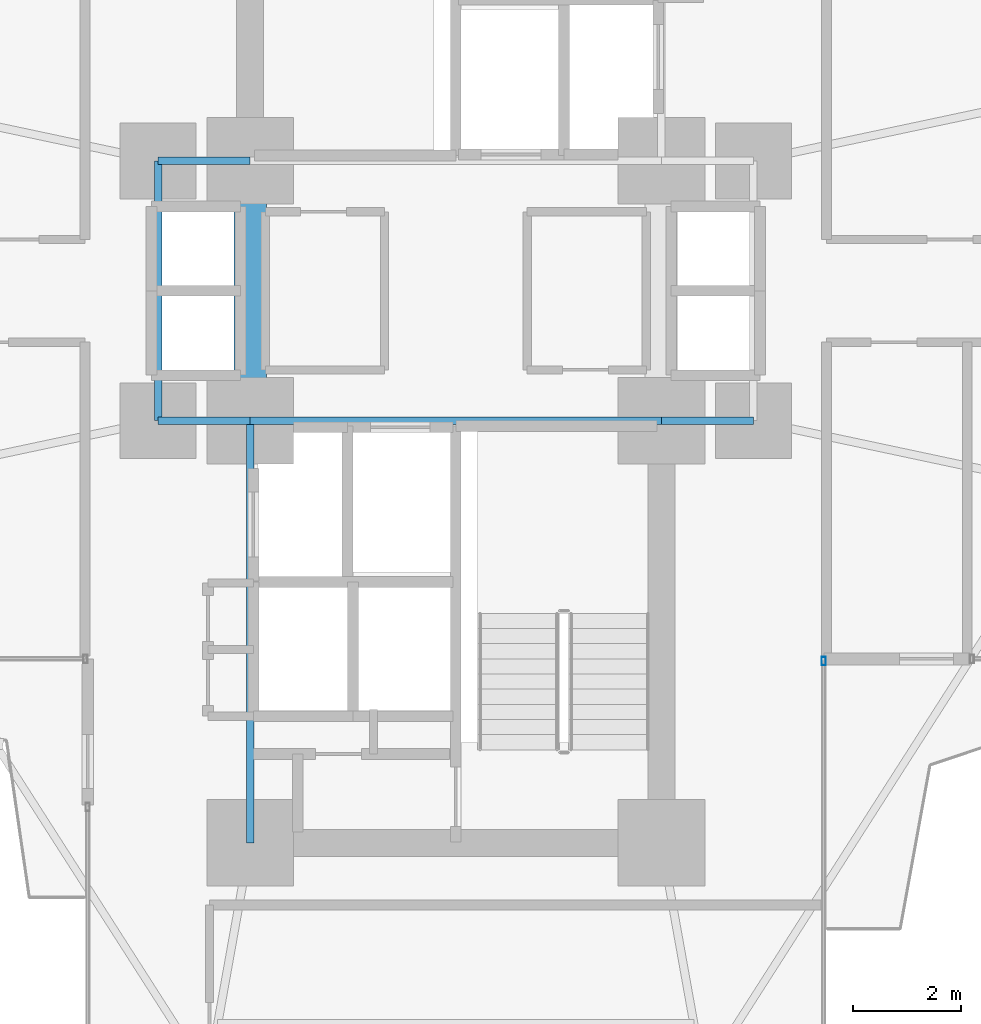
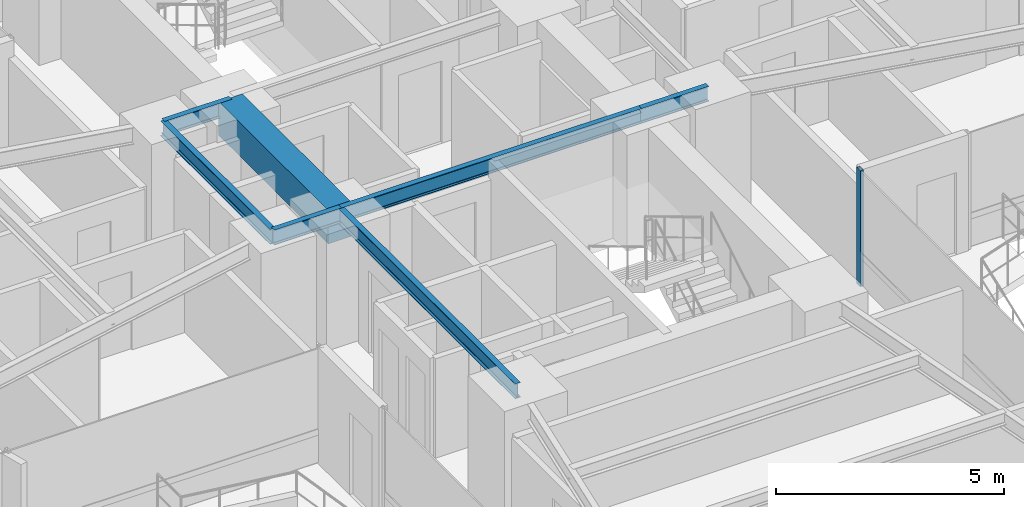
# One storey, part 11 of 25: 7 beams, 1 member, 1 element without a shape of its own.
"""IFC4 building model written with IfcOpenShell, lengths in metres."""

from ifc_helpers import new_model, si_unit, direction, frame, origin, origin_2d, place, context, subcontext, project, spatial, rectangle, hollow_rectangle, i_section, extrude, source, transform, mapped, material, material_profile, profile_set, type_object, element, aggregate, save


model = new_model("IFC4")

# Units and contexts
model_context = context("Model", 3, precision=1e-05, world=origin(), true_north=direction((0.0, 1.0)))
body_context = subcontext(model_context, "Body", "Model", "MODEL_VIEW")
ifc_project = project(units=[si_unit("LENGTHUNIT", "METRE"), si_unit("AREAUNIT", "SQUARE_METRE"), si_unit("VOLUMEUNIT", "CUBIC_METRE"), si_unit("PLANEANGLEUNIT", "RADIAN"), si_unit("MASSUNIT", "GRAM", prefix="KILO")], contexts=[model_context])

# Site, building, storey
site_placement = place(None, origin())
site = spatial("IfcSite", under=ifc_project, at=site_placement, CompositionType="ELEMENT")
building_placement = place(site_placement, origin())
building = spatial("IfcBuilding", under=site, at=building_placement, Name="Sahyath Konkavel Grand Hotel", CompositionType="ELEMENT")
storey_placement = place(building_placement, frame((0.0, 0.0, 57.75)))
storey = spatial("IfcBuildingStorey", under=building, at=storey_placement, Name="L15", CompositionType="ELEMENT", Elevation=57.75)

# Beams
ifc_material_1 = material(Name="Concrete C70/85", Category="concrete")
ifc_material_profile_1 = material_profile(ifc_material_1, rectangle(XDim=0.60009765625, YDim=0.89990234375, at=origin_2d()), Name="RC 600x900")
ifc_profile_set_1 = profile_set([ifc_material_profile_1], Name="Concrete C70/85")
beam_type_1 = type_object("IfcBeamType", Name="BM-CB600x900", PredefinedType="LINTEL", material=ifc_profile_set_1)
shared_shape_1 = source(origin(), body_context, "Body", "SweptSolid", [
    extrude(rectangle(XDim=0.60009765625, YDim=0.89990234375, at=origin_2d()), origin(), (0.0, 0.0, 1.0), 4.7998046875),
])
beam_1_placement = place(storey_placement, frame((-3.800048828125, -2.39990234375, 2.659912109375), z_axis=(0.0, 1.0, 0.0), x_axis=(-1.0, 0.0, 0.0)))
element("IfcBeam", 1, at=beam_1_placement, inside=storey, type_object=beam_type_1, Name="L15 Split-Core Coupling Beam West", PredefinedType="LINTEL", context=body_context, shape_type="MappedRepresentation", body=[
    mapped(shared_shape_1, transform((0.0, 0.0, 0.0), scale=1.0)),
])
ifc_material_2 = material(Name="Steel E350", Category="steel")
ifc_material_profile_2 = material_profile(ifc_material_2, i_section(OverallWidth=0.139892578125, OverallDepth=0.39990234375, WebThickness=0.0087890625, FlangeThickness=0.01611328125, FilletRadius=0.013916015625, at=origin_2d()), Name="ISMB 400")
ifc_profile_set_2 = profile_set([ifc_material_profile_2], Name="Steel E350")
beam_type_2 = type_object("IfcBeamType", Name="BM-ISMB400", PredefinedType="BEAM", material=ifc_profile_set_2)
shared_shape_2 = source(origin(), body_context, "Body", "SweptSolid", [
    extrude(i_section(OverallWidth=0.139892578125, OverallDepth=0.39990234375, WebThickness=0.0087890625, FlangeThickness=0.01611328125, FilletRadius=0.013916015625, at=origin_2d()), origin(), (0.0, 0.0, 1.0), 7.60009765625),
])
beam_2_placement = place(storey_placement, frame((-3.800048828125, -2.39990234375, 2.909912109375), z_axis=(1.0, 0.0, 0.0), x_axis=(0.0, 1.0, 0.0)))
element("IfcBeam", 2, at=beam_2_placement, inside=storey, type_object=beam_type_2, Name="str:bm:L15:SC-N", PredefinedType="BEAM", context=body_context, shape_type="MappedRepresentation", body=[
    mapped(shared_shape_2, transform((0.0, 0.0, 0.0), scale=1.0)),
])
shared_shape_3 = source(origin(), body_context, "Body", "SweptSolid", [
    extrude(i_section(OverallWidth=0.139892578125, OverallDepth=0.39990234375, WebThickness=0.0087890625, FlangeThickness=0.01611328125, FilletRadius=0.013916015625, at=origin_2d()), origin(), (0.0, 0.0, 1.0), 7.800048828125),
])
beam_3_placement = place(storey_placement, frame((-3.800048828125, -10.199951171875, 2.909912109375), z_axis=(0.0, 1.0, 0.0), x_axis=(-1.0, 0.0, 0.0)))
element("IfcBeam", 3, at=beam_3_placement, inside=storey, type_object=beam_type_2, Name="str:bm:L15:SC-W", PredefinedType="BEAM", context=body_context, shape_type="MappedRepresentation", body=[
    mapped(shared_shape_3, transform((0.0, 0.0, 0.0), scale=1.0)),
])
shared_shape_4 = source(origin(), body_context, "Body", "SweptSolid", [
    extrude(i_section(OverallWidth=0.139892578125, OverallDepth=0.39990234375, WebThickness=0.0087890625, FlangeThickness=0.01611328125, FilletRadius=0.013916015625, at=origin_2d()), origin(), (0.0, 0.0, 1.0), 1.699951171875),
])
for number, where, z_axis, x_axis, name in (
    (4, (-5.5, 2.39990234375, 2.909912109375), (1.0, 0.0, 0.0), (0.0, 1.0, 0.0), "str:bm:L15:HB-NW"),
    (5, (-5.5, -2.39990234375, 2.909912109375), (1.0, 0.0, 0.0), (0.0, 1.0, 0.0), "str:bm:L15:HB-SW"),
    (6, (3.800048828125, -2.39990234375, 2.909912109375), (1.0, 0.0, 0.0), (0.0, 1.0, 0.0), "str:bm:L15:HB-SE"),
):
    element("IfcBeam", number, at=place(storey_placement, frame(where, z_axis=z_axis, x_axis=x_axis)), inside=storey, type_object=beam_type_2, Name=name, PredefinedType="BEAM", context=body_context, shape_type="MappedRepresentation", body=[
        mapped(shared_shape_4, transform((0.0, 0.0, 0.0), scale=1.0)),
    ])
shared_shape_5 = source(origin(), body_context, "Body", "SweptSolid", [
    extrude(i_section(OverallWidth=0.139892578125, OverallDepth=0.39990234375, WebThickness=0.0087890625, FlangeThickness=0.01611328125, FilletRadius=0.013916015625, at=origin_2d()), origin(), (0.0, 0.0, 1.0), 4.7998046875),
])
beam_4_placement = place(storey_placement, frame((-5.5, -2.39990234375, 2.909912109375), z_axis=(0.0, 1.0, 0.0), x_axis=(-1.0, 0.0, 0.0)))
element("IfcBeam", 7, at=beam_4_placement, inside=storey, type_object=beam_type_2, Name="str:bm:L15:HB-W", PredefinedType="BEAM", context=body_context, shape_type="MappedRepresentation", body=[
    mapped(shared_shape_5, transform((0.0, 0.0, 0.0), scale=1.0)),
])

# Curtain wall, member
ifc_material_3 = material(Name="Anodised Bronze Aluminium & Low-E Glazing", Category="aluminium")
curtain_wall_type = type_object("IfcCurtainWallType", Name="CW-ZONE1", PredefinedType="NOTDEFINED", material=ifc_material_3)
curtain_wall_placement = place(storey_placement, origin())
curtain_wall = element("IfcCurtainWall", 8, at=curtain_wall_placement, inside=storey, type_object=curtain_wall_type, Name="L15 Unitised Curtain Wall F31", PredefinedType="NOTDEFINED")
ifc_material_4 = material(Name="Anodised Bronze Aluminium", Category="aluminium")
ifc_material_profile_3 = material_profile(ifc_material_4, hollow_rectangle(XDim=0.080078125, YDim=0.159912109375, WallThickness=0.006103515625, at=origin_2d()), Name="RHS 160x80x6")
ifc_profile_set_3 = profile_set([ifc_material_profile_3], Name="Anodised Bronze Aluminium")
member_type = type_object("IfcMemberType", Name="CW-MUL-160", PredefinedType="MULLION", material=ifc_profile_set_3)
shared_shape_6 = source(origin(), body_context, "Body", "SweptSolid", [
    extrude(hollow_rectangle(XDim=0.080078125, YDim=0.159912109375, WallThickness=0.006103515625, at=origin_2d()), origin(), (0.0, 0.0, 1.0), 3.110107421875),
])
member_placement = place(storey_placement, frame((6.800048828125, -6.840087890625, 0.0), z_axis=(0.0, 0.0, 1.0), x_axis=(1.0, 0.0, 0.0)))
member = element("IfcMember", 9, at=member_placement, type_object=member_type, Name="L15 Curtain Wall Mullion F31-2", PredefinedType="MULLION", context=body_context, shape_type="MappedRepresentation", body=[
    mapped(shared_shape_6, transform((0.0, 0.0, 0.0), scale=1.0)),
])
aggregate(curtain_wall, [member])

save(model, "model.ifc")
